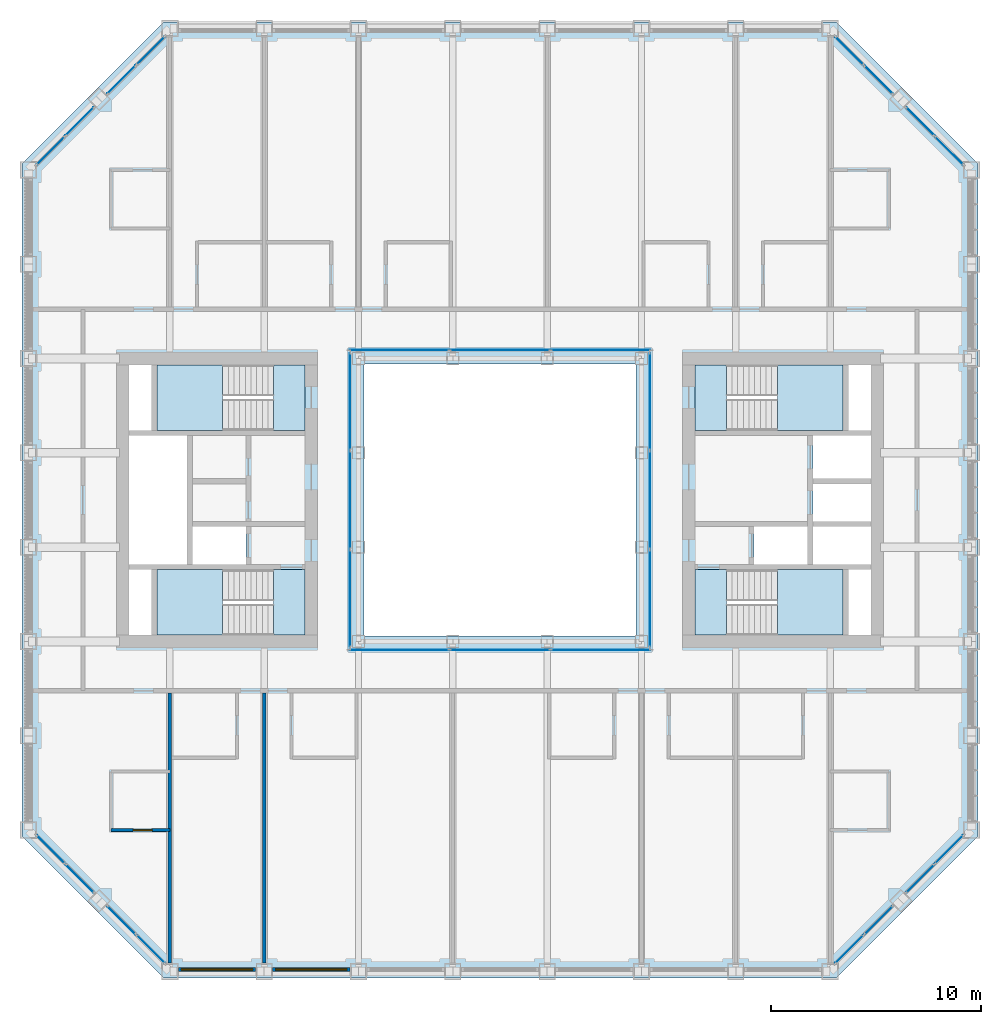
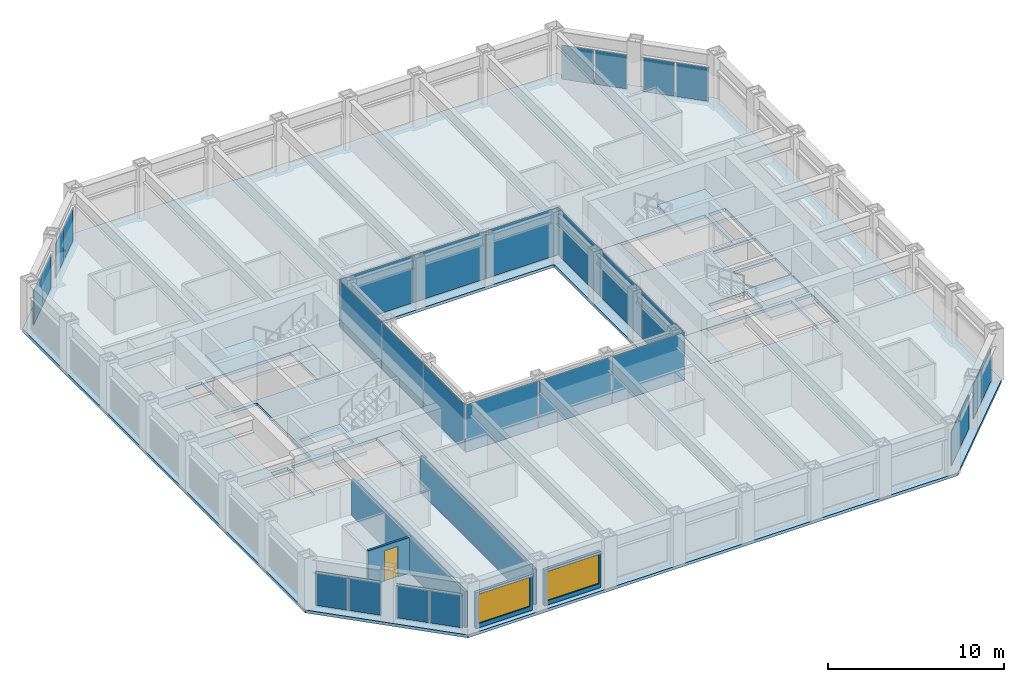
# One storey, part 9 of 17: 28 plates, 9 slabs, 5 walls, 2 windows, 1 door, 3 openings, 16 elements without a shape of their own.
"""IFC4 building model written with IfcOpenShell, lengths in metres."""

from ifc_helpers import new_model, si_unit, direction, frame, frame_2d, origin, origin_2d, place, context, subcontext, project, spatial, polyline, rectangle, outline, extrude, material, layer, layer_set, type_object, element, fill, aggregate, save


model = new_model("IFC4")

# Units and contexts
model_context = context("Model", 3, precision=1e-05, world=origin(), true_north=direction((0.0, 1.0)))
body_context = subcontext(model_context, "Body", "Model", "MODEL_VIEW")
ifc_project = project(units=[si_unit("LENGTHUNIT", "METRE"), si_unit("AREAUNIT", "SQUARE_METRE"), si_unit("VOLUMEUNIT", "CUBIC_METRE"), si_unit("PLANEANGLEUNIT", "RADIAN"), si_unit("MASSUNIT", "GRAM", prefix="KILO")], contexts=[model_context])

# Site, building, storey
site_placement = place(None, origin())
site = spatial("IfcSite", under=ifc_project, at=site_placement, CompositionType="ELEMENT")
building_placement = place(site_placement, origin())
building = spatial("IfcBuilding", under=site, at=building_placement, Name="Msasa Ring Tower", CompositionType="ELEMENT")
storey_placement = place(building_placement, frame((0.0, 0.0, 132.800048828125)))
storey = spatial("IfcBuildingStorey", under=building, at=storey_placement, Name="L34", CompositionType="ELEMENT", Elevation=132.800048828125)

# Curtain wall, plates
ifc_material_1 = material(Name="Aluminium curtain wall with clear glass", Category="aluminium")
curtain_wall_type_1 = type_object("IfcCurtainWallType", Name="CW-C CHAMFER CORNER CURTAIN WALL", PredefinedType="NOTDEFINED", material=ifc_material_1)
curtain_wall_1_placement = place(storey_placement, origin())
curtain_wall_1 = element("IfcCurtainWall", 1, at=curtain_wall_1_placement, inside=storey, type_object=curtain_wall_type_1, Name="Chamfer corner curtain wall SE L34", PredefinedType="NOTDEFINED")
ifc_material_2 = material(Name="Clear laminated insulating glass unit", Category="glass")
ifc_layer_1 = layer(ifc_material_2, 0.031982421875)
ifc_layer_set_1 = layer_set([ifc_layer_1], Name="CW-C GLASS PANEL 32")
plate_type_1 = type_object("IfcPlateType", Name="CW-C GLASS PANEL 32", PredefinedType="CURTAIN_PANEL", material=ifc_layer_set_1)
plate_1_placement = place(storey_placement, frame((16.677734375, -21.430908203125, 0.06494140625), z_axis=(0.0, 0.0, 1.0), x_axis=(0.707106781187, 0.707106781187, 0.0)))
plate_1 = element("IfcPlate", 2, at=plate_1_placement, type_object=plate_type_1, Name="CW-C panel 1.1", PredefinedType="CURTAIN_PANEL", context=body_context, shape_type="SweptSolid", body=[
    extrude(rectangle(XDim=1.884033203125, YDim=0.031982421875, at=origin_2d()), origin(), (0.0, 0.0, 1.0), 2.34912109375),
])
plate_2_placement = place(storey_placement, frame((18.055908203125, -20.052734375, 0.06494140625), z_axis=(0.0, 0.0, 1.0), x_axis=(0.707106781187, 0.707106781187, 0.0)))
plate_2 = element("IfcPlate", 3, at=plate_2_placement, type_object=plate_type_1, Name="CW-C panel 2.1", PredefinedType="CURTAIN_PANEL", context=body_context, shape_type="SweptSolid", body=[
    extrude(rectangle(XDim=1.884033203125, YDim=0.031982421875, at=origin_2d()), origin(), (0.0, 0.0, 1.0), 2.34912109375),
])
aggregate(curtain_wall_1, [plate_1, plate_2])

curtain_wall_2_placement = place(storey_placement, origin())
curtain_wall_2 = element("IfcCurtainWall", 4, at=curtain_wall_2_placement, inside=storey, type_object=curtain_wall_type_1, Name="Chamfer corner curtain wall SE L34", PredefinedType="NOTDEFINED")
plate_3_placement = place(storey_placement, frame((20.052734375, -18.055908203125, 0.06494140625), z_axis=(0.0, 0.0, 1.0), x_axis=(0.707106781187, 0.707106781187, 0.0)))
plate_3 = element("IfcPlate", 5, at=plate_3_placement, type_object=plate_type_1, Name="CW-C panel 1.1", PredefinedType="CURTAIN_PANEL", context=body_context, shape_type="SweptSolid", body=[
    extrude(rectangle(XDim=1.884033203125, YDim=0.031982421875, at=origin_2d()), origin(), (0.0, 0.0, 1.0), 2.34912109375),
])
plate_4_placement = place(storey_placement, frame((21.430908203125, -16.677734375, 0.06494140625), z_axis=(0.0, 0.0, 1.0), x_axis=(0.707106781187, 0.707106781187, 0.0)))
plate_4 = element("IfcPlate", 6, at=plate_4_placement, type_object=plate_type_1, Name="CW-C panel 2.1", PredefinedType="CURTAIN_PANEL", context=body_context, shape_type="SweptSolid", body=[
    extrude(rectangle(XDim=1.884033203125, YDim=0.031982421875, at=origin_2d()), origin(), (0.0, 0.0, 1.0), 2.34912109375),
])
aggregate(curtain_wall_2, [plate_3, plate_4])

curtain_wall_3_placement = place(storey_placement, origin())
curtain_wall_3 = element("IfcCurtainWall", 7, at=curtain_wall_3_placement, inside=storey, type_object=curtain_wall_type_1, Name="Chamfer corner curtain wall NE L34", PredefinedType="NOTDEFINED")
plate_5_placement = place(storey_placement, frame((18.055908203125, 20.052734375, 0.06494140625), z_axis=(0.0, 0.0, 1.0), x_axis=(-0.707106781187, 0.707106781187, 0.0)))
plate_5 = element("IfcPlate", 8, at=plate_5_placement, type_object=plate_type_1, Name="CW-C panel 1.1", PredefinedType="CURTAIN_PANEL", context=body_context, shape_type="SweptSolid", body=[
    extrude(rectangle(XDim=1.884033203125, YDim=0.031982421875, at=origin_2d()), origin(), (0.0, 0.0, 1.0), 2.34912109375),
])
plate_6_placement = place(storey_placement, frame((16.677734375, 21.430908203125, 0.06494140625), z_axis=(0.0, 0.0, 1.0), x_axis=(-0.707106781187, 0.707106781187, 0.0)))
plate_6 = element("IfcPlate", 9, at=plate_6_placement, type_object=plate_type_1, Name="CW-C panel 2.1", PredefinedType="CURTAIN_PANEL", context=body_context, shape_type="SweptSolid", body=[
    extrude(rectangle(XDim=1.884033203125, YDim=0.031982421875, at=origin_2d()), origin(), (0.0, 0.0, 1.0), 2.34912109375),
])
aggregate(curtain_wall_3, [plate_5, plate_6])

curtain_wall_4_placement = place(storey_placement, origin())
curtain_wall_4 = element("IfcCurtainWall", 10, at=curtain_wall_4_placement, inside=storey, type_object=curtain_wall_type_1, Name="Chamfer corner curtain wall NE L34", PredefinedType="NOTDEFINED")
plate_7_placement = place(storey_placement, frame((21.430908203125, 16.677734375, 0.06494140625), z_axis=(0.0, 0.0, 1.0), x_axis=(-0.707106781187, 0.707106781187, 0.0)))
plate_7 = element("IfcPlate", 11, at=plate_7_placement, type_object=plate_type_1, Name="CW-C panel 1.1", PredefinedType="CURTAIN_PANEL", context=body_context, shape_type="SweptSolid", body=[
    extrude(rectangle(XDim=1.884033203125, YDim=0.031982421875, at=origin_2d()), origin(), (0.0, 0.0, 1.0), 2.34912109375),
])
plate_8_placement = place(storey_placement, frame((20.052734375, 18.055908203125, 0.06494140625), z_axis=(0.0, 0.0, 1.0), x_axis=(-0.707106781187, 0.707106781187, 0.0)))
plate_8 = element("IfcPlate", 12, at=plate_8_placement, type_object=plate_type_1, Name="CW-C panel 2.1", PredefinedType="CURTAIN_PANEL", context=body_context, shape_type="SweptSolid", body=[
    extrude(rectangle(XDim=1.884033203125, YDim=0.031982421875, at=origin_2d()), origin(), (0.0, 0.0, 1.0), 2.34912109375),
])
aggregate(curtain_wall_4, [plate_7, plate_8])

curtain_wall_5_placement = place(storey_placement, origin())
curtain_wall_5 = element("IfcCurtainWall", 13, at=curtain_wall_5_placement, inside=storey, type_object=curtain_wall_type_1, Name="Chamfer corner curtain wall NW L34", PredefinedType="NOTDEFINED")
plate_9_placement = place(storey_placement, frame((-20.052734375, 18.055908203125, 0.06494140625), z_axis=(0.0, 0.0, 1.0), x_axis=(-0.707106781187, -0.707106781187, 0.0)))
plate_9 = element("IfcPlate", 14, at=plate_9_placement, type_object=plate_type_1, Name="CW-C panel 1.1", PredefinedType="CURTAIN_PANEL", context=body_context, shape_type="SweptSolid", body=[
    extrude(rectangle(XDim=1.884033203125, YDim=0.031982421875, at=origin_2d()), origin(), (0.0, 0.0, 1.0), 2.34912109375),
])
plate_10_placement = place(storey_placement, frame((-21.430908203125, 16.677734375, 0.06494140625), z_axis=(0.0, 0.0, 1.0), x_axis=(-0.707106781187, -0.707106781187, 0.0)))
plate_10 = element("IfcPlate", 15, at=plate_10_placement, type_object=plate_type_1, Name="CW-C panel 2.1", PredefinedType="CURTAIN_PANEL", context=body_context, shape_type="SweptSolid", body=[
    extrude(rectangle(XDim=1.884033203125, YDim=0.031982421875, at=origin_2d()), origin(), (0.0, 0.0, 1.0), 2.34912109375),
])
aggregate(curtain_wall_5, [plate_9, plate_10])

curtain_wall_6_placement = place(storey_placement, origin())
curtain_wall_6 = element("IfcCurtainWall", 16, at=curtain_wall_6_placement, inside=storey, type_object=curtain_wall_type_1, Name="Chamfer corner curtain wall NW L34", PredefinedType="NOTDEFINED")
plate_11_placement = place(storey_placement, frame((-16.677734375, 21.430908203125, 0.06494140625), z_axis=(0.0, 0.0, 1.0), x_axis=(-0.707106781187, -0.707106781187, 0.0)))
plate_11 = element("IfcPlate", 17, at=plate_11_placement, type_object=plate_type_1, Name="CW-C panel 1.1", PredefinedType="CURTAIN_PANEL", context=body_context, shape_type="SweptSolid", body=[
    extrude(rectangle(XDim=1.884033203125, YDim=0.031982421875, at=origin_2d()), origin(), (0.0, 0.0, 1.0), 2.34912109375),
])
plate_12_placement = place(storey_placement, frame((-18.055908203125, 20.052734375, 0.06494140625), z_axis=(0.0, 0.0, 1.0), x_axis=(-0.707106781187, -0.707106781187, 0.0)))
plate_12 = element("IfcPlate", 18, at=plate_12_placement, type_object=plate_type_1, Name="CW-C panel 2.1", PredefinedType="CURTAIN_PANEL", context=body_context, shape_type="SweptSolid", body=[
    extrude(rectangle(XDim=1.884033203125, YDim=0.031982421875, at=origin_2d()), origin(), (0.0, 0.0, 1.0), 2.34912109375),
])
aggregate(curtain_wall_6, [plate_11, plate_12])

curtain_wall_7_placement = place(storey_placement, origin())
curtain_wall_7 = element("IfcCurtainWall", 19, at=curtain_wall_7_placement, inside=storey, type_object=curtain_wall_type_1, Name="Chamfer corner curtain wall SW L34", PredefinedType="NOTDEFINED")
plate_13_placement = place(storey_placement, frame((-21.430908203125, -16.677734375, 0.06494140625), z_axis=(0.0, 0.0, 1.0), x_axis=(0.707106781187, -0.707106781187, 0.0)))
plate_13 = element("IfcPlate", 20, at=plate_13_placement, type_object=plate_type_1, Name="CW-C panel 1.1", PredefinedType="CURTAIN_PANEL", context=body_context, shape_type="SweptSolid", body=[
    extrude(rectangle(XDim=1.884033203125, YDim=0.031982421875, at=origin_2d()), origin(), (0.0, 0.0, 1.0), 2.34912109375),
])
plate_14_placement = place(storey_placement, frame((-20.052734375, -18.055908203125, 0.06494140625), z_axis=(0.0, 0.0, 1.0), x_axis=(0.707106781187, -0.707106781187, 0.0)))
plate_14 = element("IfcPlate", 21, at=plate_14_placement, type_object=plate_type_1, Name="CW-C panel 2.1", PredefinedType="CURTAIN_PANEL", context=body_context, shape_type="SweptSolid", body=[
    extrude(rectangle(XDim=1.884033203125, YDim=0.031982421875, at=origin_2d()), origin(), (0.0, 0.0, 1.0), 2.34912109375),
])
aggregate(curtain_wall_7, [plate_13, plate_14])

curtain_wall_8_placement = place(storey_placement, origin())
curtain_wall_8 = element("IfcCurtainWall", 22, at=curtain_wall_8_placement, inside=storey, type_object=curtain_wall_type_1, Name="Chamfer corner curtain wall SW L34", PredefinedType="NOTDEFINED")
plate_15_placement = place(storey_placement, frame((-18.055908203125, -20.052734375, 0.06494140625), z_axis=(0.0, 0.0, 1.0), x_axis=(0.707106781187, -0.707106781187, 0.0)))
plate_15 = element("IfcPlate", 23, at=plate_15_placement, type_object=plate_type_1, Name="CW-C panel 1.1", PredefinedType="CURTAIN_PANEL", context=body_context, shape_type="SweptSolid", body=[
    extrude(rectangle(XDim=1.884033203125, YDim=0.031982421875, at=origin_2d()), origin(), (0.0, 0.0, 1.0), 2.34912109375),
])
plate_16_placement = place(storey_placement, frame((-16.677734375, -21.430908203125, 0.06494140625), z_axis=(0.0, 0.0, 1.0), x_axis=(0.707106781187, -0.707106781187, 0.0)))
plate_16 = element("IfcPlate", 24, at=plate_16_placement, type_object=plate_type_1, Name="CW-C panel 2.1", PredefinedType="CURTAIN_PANEL", context=body_context, shape_type="SweptSolid", body=[
    extrude(rectangle(XDim=1.884033203125, YDim=0.031982421875, at=origin_2d()), origin(), (0.0, 0.0, 1.0), 2.34912109375),
])
aggregate(curtain_wall_8, [plate_15, plate_16])

ifc_material_3 = material(Name="Aluminium curtain wall with clear glass", Category="aluminium")
curtain_wall_type_2 = type_object("IfcCurtainWallType", Name="CW-W LIGHT WELL CURTAIN WALL", PredefinedType="NOTDEFINED", material=ifc_material_3)
curtain_wall_9_placement = place(storey_placement, origin())
curtain_wall_9 = element("IfcCurtainWall", 25, at=curtain_wall_9_placement, inside=storey, type_object=curtain_wall_type_2, Name="Light well curtain wall N L34", PredefinedType="NOTDEFINED")
ifc_material_4 = material(Name="Clear laminated insulating glass unit", Category="glass")
ifc_layer_2 = layer(ifc_material_4, 0.028076171875)
ifc_layer_set_2 = layer_set([ifc_layer_2], Name="CW-W GLASS PANEL 28")
plate_type_2 = type_object("IfcPlateType", Name="CW-W GLASS PANEL 28", PredefinedType="CURTAIN_PANEL", material=ifc_layer_set_2)
plate_17_placement = place(storey_placement, frame((-4.804931640625, 7.14990234375, 0.06005859375), z_axis=(0.0, 0.0, 1.0), x_axis=(1.0, 0.0, 0.0)))
plate_17 = element("IfcPlate", 26, at=plate_17_placement, type_object=plate_type_2, Name="CW-W panel 1.1", PredefinedType="CURTAIN_PANEL", context=body_context, shape_type="SweptSolid", body=[
    extrude(rectangle(XDim=4.72998046875, YDim=0.028076171875, at=origin_2d()), origin(), (0.0, 0.0, 1.0), 3.280029296875),
])
plate_18_placement = place(storey_placement, frame((0.0, 7.14990234375, 0.06005859375), z_axis=(0.0, 0.0, 1.0), x_axis=(1.0, 0.0, 0.0)))
plate_18 = element("IfcPlate", 27, at=plate_18_placement, type_object=plate_type_2, Name="CW-W panel 2.1", PredefinedType="CURTAIN_PANEL", context=body_context, shape_type="SweptSolid", body=[
    extrude(rectangle(XDim=4.760009765625, YDim=0.028076171875, at=origin_2d()), origin(), (0.0, 0.0, 1.0), 3.280029296875),
])
plate_19_placement = place(storey_placement, frame((4.804931640625, 7.14990234375, 0.06005859375), z_axis=(0.0, 0.0, 1.0), x_axis=(1.0, 0.0, 0.0)))
plate_19 = element("IfcPlate", 28, at=plate_19_placement, type_object=plate_type_2, Name="CW-W panel 3.1", PredefinedType="CURTAIN_PANEL", context=body_context, shape_type="SweptSolid", body=[
    extrude(rectangle(XDim=4.72998046875, YDim=0.028076171875, at=origin_2d()), origin(), (0.0, 0.0, 1.0), 3.280029296875),
])
aggregate(curtain_wall_9, [plate_17, plate_18, plate_19])

curtain_wall_10_placement = place(storey_placement, origin())
curtain_wall_10 = element("IfcCurtainWall", 29, at=curtain_wall_10_placement, inside=storey, type_object=curtain_wall_type_2, Name="Light well curtain wall S L34", PredefinedType="NOTDEFINED")
plate_20_placement = place(storey_placement, frame((-4.804931640625, -7.14990234375, 0.06005859375), z_axis=(0.0, 0.0, 1.0), x_axis=(1.0, 0.0, 0.0)))
plate_20 = element("IfcPlate", 30, at=plate_20_placement, type_object=plate_type_2, Name="CW-W panel 1.1", PredefinedType="CURTAIN_PANEL", context=body_context, shape_type="SweptSolid", body=[
    extrude(rectangle(XDim=4.72998046875, YDim=0.028076171875, at=origin_2d()), origin(), (0.0, 0.0, 1.0), 3.280029296875),
])
plate_21_placement = place(storey_placement, frame((0.0, -7.14990234375, 0.06005859375), z_axis=(0.0, 0.0, 1.0), x_axis=(1.0, 0.0, 0.0)))
plate_21 = element("IfcPlate", 31, at=plate_21_placement, type_object=plate_type_2, Name="CW-W panel 2.1", PredefinedType="CURTAIN_PANEL", context=body_context, shape_type="SweptSolid", body=[
    extrude(rectangle(XDim=4.760009765625, YDim=0.028076171875, at=origin_2d()), origin(), (0.0, 0.0, 1.0), 3.280029296875),
])
plate_22_placement = place(storey_placement, frame((4.804931640625, -7.14990234375, 0.06005859375), z_axis=(0.0, 0.0, 1.0), x_axis=(1.0, 0.0, 0.0)))
plate_22 = element("IfcPlate", 32, at=plate_22_placement, type_object=plate_type_2, Name="CW-W panel 3.1", PredefinedType="CURTAIN_PANEL", context=body_context, shape_type="SweptSolid", body=[
    extrude(rectangle(XDim=4.72998046875, YDim=0.028076171875, at=origin_2d()), origin(), (0.0, 0.0, 1.0), 3.280029296875),
])
aggregate(curtain_wall_10, [plate_20, plate_21, plate_22])

curtain_wall_11_placement = place(storey_placement, origin())
curtain_wall_11 = element("IfcCurtainWall", 33, at=curtain_wall_11_placement, inside=storey, type_object=curtain_wall_type_2, Name="Light well curtain wall E L34", PredefinedType="NOTDEFINED")
plate_23_placement = place(storey_placement, frame((7.14990234375, -4.6982421875, 0.06005859375), z_axis=(0.0, 0.0, 1.0), x_axis=(0.0, 1.0, 0.0)))
plate_23 = element("IfcPlate", 34, at=plate_23_placement, type_object=plate_type_2, Name="CW-W panel 1.1", PredefinedType="CURTAIN_PANEL", context=body_context, shape_type="SweptSolid", body=[
    extrude(rectangle(XDim=4.623291015625, YDim=0.028076171875, at=origin_2d()), origin(), (0.0, 0.0, 1.0), 3.280029296875),
])
plate_24_placement = place(storey_placement, frame((7.14990234375, 0.0, 0.06005859375), z_axis=(0.0, 0.0, 1.0), x_axis=(0.0, 1.0, 0.0)))
plate_24 = element("IfcPlate", 35, at=plate_24_placement, type_object=plate_type_2, Name="CW-W panel 2.1", PredefinedType="CURTAIN_PANEL", context=body_context, shape_type="SweptSolid", body=[
    extrude(rectangle(XDim=4.6533203125, YDim=0.028076171875, at=origin_2d()), origin(), (0.0, 0.0, 1.0), 3.280029296875),
])
plate_25_placement = place(storey_placement, frame((7.14990234375, 4.6982421875, 0.06005859375), z_axis=(0.0, 0.0, 1.0), x_axis=(0.0, 1.0, 0.0)))
plate_25 = element("IfcPlate", 36, at=plate_25_placement, type_object=plate_type_2, Name="CW-W panel 3.1", PredefinedType="CURTAIN_PANEL", context=body_context, shape_type="SweptSolid", body=[
    extrude(rectangle(XDim=4.623291015625, YDim=0.028076171875, at=origin_2d()), origin(), (0.0, 0.0, 1.0), 3.280029296875),
])
aggregate(curtain_wall_11, [plate_23, plate_24, plate_25])

curtain_wall_12_placement = place(storey_placement, origin())
curtain_wall_12 = element("IfcCurtainWall", 37, at=curtain_wall_12_placement, inside=storey, type_object=curtain_wall_type_2, Name="Light well curtain wall W L34", PredefinedType="NOTDEFINED")
plate_26_placement = place(storey_placement, frame((-7.14990234375, -4.6982421875, 0.06005859375), z_axis=(0.0, 0.0, 1.0), x_axis=(0.0, 1.0, 0.0)))
plate_26 = element("IfcPlate", 38, at=plate_26_placement, type_object=plate_type_2, Name="CW-W panel 1.1", PredefinedType="CURTAIN_PANEL", context=body_context, shape_type="SweptSolid", body=[
    extrude(rectangle(XDim=4.623291015625, YDim=0.028076171875, at=origin_2d()), origin(), (0.0, 0.0, 1.0), 3.280029296875),
])
plate_27_placement = place(storey_placement, frame((-7.14990234375, 0.0, 0.06005859375), z_axis=(0.0, 0.0, 1.0), x_axis=(0.0, 1.0, 0.0)))
plate_27 = element("IfcPlate", 39, at=plate_27_placement, type_object=plate_type_2, Name="CW-W panel 2.1", PredefinedType="CURTAIN_PANEL", context=body_context, shape_type="SweptSolid", body=[
    extrude(rectangle(XDim=4.6533203125, YDim=0.028076171875, at=origin_2d()), origin(), (0.0, 0.0, 1.0), 3.280029296875),
])
plate_28_placement = place(storey_placement, frame((-7.14990234375, 4.6982421875, 0.06005859375), z_axis=(0.0, 0.0, 1.0), x_axis=(0.0, 1.0, 0.0)))
plate_28 = element("IfcPlate", 40, at=plate_28_placement, type_object=plate_type_2, Name="CW-W panel 3.1", PredefinedType="CURTAIN_PANEL", context=body_context, shape_type="SweptSolid", body=[
    extrude(rectangle(XDim=4.623291015625, YDim=0.028076171875, at=origin_2d()), origin(), (0.0, 0.0, 1.0), 3.280029296875),
])
aggregate(curtain_wall_12, [plate_26, plate_27, plate_28])

# Stair, slabs
ifc_material_5 = material(Name="Concrete C40/50", Category="concrete")
stair_type = type_object("IfcStairType", Name="STC CORE STAIR 20 RISERS 180", PredefinedType="HALF_TURN_STAIR", material=ifc_material_5)
stair_1_placement = place(storey_placement, origin())
stair_1 = element("IfcStair", 41, at=stair_1_placement, inside=storey, type_object=stair_type, Name="Core stair SEA L34", PredefinedType="HALF_TURN_STAIR")
ifc_material_6 = material(Name="Concrete C40/50", Category="concrete")
ifc_layer_3 = layer(ifc_material_6, 0.199951171875)
ifc_layer_set_3 = layer_set([ifc_layer_3], Name="LD1 CORE STAIR LANDING 200")
slab_type_1 = type_object("IfcSlabType", Name="LD1 CORE STAIR LANDING 200", PredefinedType="LANDING", material=ifc_layer_set_3)
slab_1_placement = place(storey_placement, frame((0.0, 0.0, -0.199951171875)))
slab_1 = element("IfcSlab", 42, at=slab_1_placement, type_object=slab_type_1, Name="SEA landing 1", PredefinedType="LANDING", context=body_context, shape_type="SweptSolid", body=[
    extrude(outline(polyline([(9.300048828125, -6.449951171875), (10.800048828125, -6.449951171875), (10.800048828125, -3.324951171875), (9.300048828125, -3.324951171875), (9.300048828125, -6.449951171875)])), origin(), (0.0, 0.0, 1.0), 0.199951171875),
])
slab_2_placement = place(storey_placement, frame((0.0, 0.0, 1.599853515625)))
slab_2 = element("IfcSlab", 43, at=slab_2_placement, type_object=slab_type_1, Name="SEA landing 2", PredefinedType="LANDING", context=body_context, shape_type="SweptSolid", body=[
    extrude(outline(polyline([(13.22998046875, -6.449951171875), (16.375, -6.449951171875), (16.375, -3.324951171875), (13.22998046875, -3.324951171875), (13.22998046875, -6.449951171875)])), origin(), (0.0, 0.0, 1.0), 0.2001953125),
])
aggregate(stair_1, [slab_1, slab_2])

stair_2_placement = place(storey_placement, origin())
stair_2 = element("IfcStair", 44, at=stair_2_placement, inside=storey, type_object=stair_type, Name="Core stair SEB L34", PredefinedType="HALF_TURN_STAIR")
slab_3_placement = place(storey_placement, frame((0.0, 0.0, -0.199951171875)))
slab_3 = element("IfcSlab", 45, at=slab_3_placement, type_object=slab_type_1, Name="SEB landing 1", PredefinedType="LANDING", context=body_context, shape_type="SweptSolid", body=[
    extrude(outline(polyline([(9.300048828125, 3.324951171875), (10.800048828125, 3.324951171875), (10.800048828125, 6.449951171875), (9.300048828125, 6.449951171875), (9.300048828125, 3.324951171875)])), origin(), (0.0, 0.0, 1.0), 0.199951171875),
])
slab_4_placement = place(storey_placement, frame((0.0, 0.0, 1.599853515625)))
slab_4 = element("IfcSlab", 46, at=slab_4_placement, type_object=slab_type_1, Name="SEB landing 2", PredefinedType="LANDING", context=body_context, shape_type="SweptSolid", body=[
    extrude(outline(polyline([(13.22998046875, 3.324951171875), (16.375, 3.324951171875), (16.375, 6.449951171875), (13.22998046875, 6.449951171875), (13.22998046875, 3.324951171875)])), origin(), (0.0, 0.0, 1.0), 0.2001953125),
])
aggregate(stair_2, [slab_3, slab_4])

stair_3_placement = place(storey_placement, origin())
stair_3 = element("IfcStair", 47, at=stair_3_placement, inside=storey, type_object=stair_type, Name="Core stair SWA L34", PredefinedType="HALF_TURN_STAIR")
slab_5_placement = place(storey_placement, frame((0.0, 0.0, -0.199951171875)))
slab_5 = element("IfcSlab", 48, at=slab_5_placement, type_object=slab_type_1, Name="SWA landing 1", PredefinedType="LANDING", context=body_context, shape_type="SweptSolid", body=[
    extrude(outline(polyline([(-10.800048828125, -6.449951171875), (-9.300048828125, -6.449951171875), (-9.300048828125, -3.324951171875), (-10.800048828125, -3.324951171875), (-10.800048828125, -6.449951171875)])), origin(), (0.0, 0.0, 1.0), 0.199951171875),
])
slab_6_placement = place(storey_placement, frame((0.0, 0.0, 1.599853515625)))
slab_6 = element("IfcSlab", 49, at=slab_6_placement, type_object=slab_type_1, Name="SWA landing 2", PredefinedType="LANDING", context=body_context, shape_type="SweptSolid", body=[
    extrude(outline(polyline([(-16.375, -6.449951171875), (-13.22998046875, -6.449951171875), (-13.22998046875, -3.324951171875), (-16.375, -3.324951171875), (-16.375, -6.449951171875)])), origin(), (0.0, 0.0, 1.0), 0.2001953125),
])
aggregate(stair_3, [slab_5, slab_6])

stair_4_placement = place(storey_placement, origin())
stair_4 = element("IfcStair", 50, at=stair_4_placement, inside=storey, type_object=stair_type, Name="Core stair SWB L34", PredefinedType="HALF_TURN_STAIR")
slab_7_placement = place(storey_placement, frame((0.0, 0.0, -0.199951171875)))
slab_7 = element("IfcSlab", 51, at=slab_7_placement, type_object=slab_type_1, Name="SWB landing 1", PredefinedType="LANDING", context=body_context, shape_type="SweptSolid", body=[
    extrude(outline(polyline([(-10.800048828125, 3.324951171875), (-9.300048828125, 3.324951171875), (-9.300048828125, 6.449951171875), (-10.800048828125, 6.449951171875), (-10.800048828125, 3.324951171875)])), origin(), (0.0, 0.0, 1.0), 0.199951171875),
])
slab_8_placement = place(storey_placement, frame((0.0, 0.0, 1.599853515625)))
slab_8 = element("IfcSlab", 52, at=slab_8_placement, type_object=slab_type_1, Name="SWB landing 2", PredefinedType="LANDING", context=body_context, shape_type="SweptSolid", body=[
    extrude(outline(polyline([(-16.375, 3.324951171875), (-13.22998046875, 3.324951171875), (-13.22998046875, 6.449951171875), (-16.375, 6.449951171875), (-16.375, 3.324951171875)])), origin(), (0.0, 0.0, 1.0), 0.2001953125),
])
aggregate(stair_4, [slab_7, slab_8])

# Slab
ifc_material_7 = material(Name="Concrete C40/50", Category="concrete")
ifc_layer_4 = layer(ifc_material_7, 0.199951171875)
ifc_layer_set_4 = layer_set([ifc_layer_4], Name="S6 GUEST FLOOR 200")
slab_type_2 = type_object("IfcSlabType", Name="S6 GUEST FLOOR 200", PredefinedType="FLOOR", material=ifc_layer_set_4)
slab_9_placement = place(storey_placement, frame((0.0, 0.0, -0.199951171875)))
element("IfcSlab", 53, at=slab_9_placement, inside=storey, type_object=slab_type_2, Name="Floor slab L34", PredefinedType="FLOOR", context=body_context, shape_type="SweptSolid", body=[
    extrude(outline(polyline([(-16.050048828125, -22.800048828125), (16.050048828125, -22.800048828125), (22.800048828125, -16.050048828125), (22.800048828125, 16.050048828125), (16.050048828125, 22.800048828125), (-16.050048828125, 22.800048828125), (-22.800048828125, 16.050048828125), (-22.800048828125, -16.050048828125), (-16.050048828125, -22.800048828125)]), holes=[polyline([(-6.5, -6.5), (6.5, -6.5), (6.5, 6.5), (-6.5, 6.5), (-6.5, -6.5)]), polyline([(9.300048828125, -6.449951171875), (16.375, -6.449951171875), (16.375, -3.324951171875), (9.300048828125, -3.324951171875), (9.300048828125, -6.449951171875)]), polyline([(9.300048828125, 3.324951171875), (16.375, 3.324951171875), (16.375, 6.449951171875), (9.300048828125, 6.449951171875), (9.300048828125, 3.324951171875)]), polyline([(12.125, -3.074951171875), (14.675048828125, -3.074951171875), (14.675048828125, -1.27490234375), (12.125, -1.27490234375), (12.125, -3.074951171875)]), polyline([(16.625, -6.449951171875), (17.699951171875, -6.449951171875), (17.699951171875, -3.324951171875), (16.625, -3.324951171875), (16.625, -6.449951171875)]), polyline([(16.625, 3.324951171875), (17.699951171875, 3.324951171875), (17.699951171875, 6.449951171875), (16.625, 6.449951171875), (16.625, 3.324951171875)]), polyline([(14.925048828125, -3.074951171875), (17.699951171875, -3.074951171875), (17.699951171875, -1.27490234375), (14.925048828125, -1.27490234375), (14.925048828125, -3.074951171875)]), polyline([(14.925048828125, -1.02490234375), (17.699951171875, -1.02490234375), (17.699951171875, 0.77490234375), (14.925048828125, 0.77490234375), (14.925048828125, -1.02490234375)]), polyline([(14.925048828125, 1.02490234375), (17.699951171875, 1.02490234375), (17.699951171875, 3.074951171875), (14.925048828125, 3.074951171875), (14.925048828125, 1.02490234375)]), polyline([(-16.375, -6.449951171875), (-9.300048828125, -6.449951171875), (-9.300048828125, -3.324951171875), (-16.375, -3.324951171875), (-16.375, -6.449951171875)]), polyline([(-16.375, 3.324951171875), (-9.300048828125, 3.324951171875), (-9.300048828125, 6.449951171875), (-16.375, 6.449951171875), (-16.375, 3.324951171875)]), polyline([(-14.675048828125, -3.074951171875), (-12.125, -3.074951171875), (-12.125, -1.27490234375), (-14.675048828125, -1.27490234375), (-14.675048828125, -3.074951171875)]), polyline([(-17.699951171875, -6.449951171875), (-16.625, -6.449951171875), (-16.625, -3.324951171875), (-17.699951171875, -3.324951171875), (-17.699951171875, -6.449951171875)]), polyline([(-17.699951171875, 3.324951171875), (-16.625, 3.324951171875), (-16.625, 6.449951171875), (-17.699951171875, 6.449951171875), (-17.699951171875, 3.324951171875)]), polyline([(-17.699951171875, -3.074951171875), (-14.925048828125, -3.074951171875), (-14.925048828125, 3.074951171875), (-17.699951171875, 3.074951171875), (-17.699951171875, -3.074951171875)])]), origin(), (0.0, 0.0, 1.0), 0.199951171875),
])

# Wall, opening, window
ifc_material_8 = material(Name="Terracotta rainscreen on blockwork", Category="masonry")
ifc_layer_5 = layer(ifc_material_8, 0.199951171875)
ifc_layer_set_5 = layer_set([ifc_layer_5], Name="FW1 TERRACOTTA-LINED INFILL BAY WALL 200")
wall_type_1 = type_object("IfcWallType", Name="FW1 TERRACOTTA-LINED INFILL BAY WALL 200", PredefinedType="SOLIDWALL", material=ifc_layer_set_5)
wall_1_placement = place(storey_placement, frame((-15.344970703125, -22.39990234375, 0.0), z_axis=(0.0, 0.0, 1.0), x_axis=(1.0, 0.0, 0.0)))
wall_1 = element("IfcWall", 54, at=wall_1_placement, inside=storey, type_object=wall_type_1, Name="Infill bay wall S L34 00", PredefinedType="SOLIDWALL", context=body_context, shape_type="SweptSolid", body=[
    extrude(rectangle(XDim=3.68994140625, YDim=0.199951171875, at=frame_2d((1.844970703125, 0.0))), origin(), (0.0, 0.0, 1.0), 2.47900390625),
])
opening_1_placement = place(wall_1_placement, frame((0.14501953125, 0.0, 0.300048828125)))
opening_1 = element("IfcOpeningElement", 55, at=opening_1_placement, cuts=wall_1, Name="Opening WN2", PredefinedType="OPENING", context=body_context, shape_type="SweptSolid", body=[
    extrude(rectangle(XDim=3.39990234375, YDim=2.029052734375, at=frame_2d((1.699951171875, 1.0146484375))), frame((0.0, 0.10986328125, 0.0), z_axis=(0.0, -1.0, 0.0), x_axis=(1.0, 0.0, 0.0)), (0.0, 0.0, 1.0), 0.219970703125),
])
ifc_material_9 = material(Name="Aluminium frame with clear glass", Category="aluminium")
window_type = type_object("IfcWindowType", Name="WN2 GUEST ROOM WINDOW 3400x2029", PartitioningType="SINGLE_PANEL", PredefinedType="WINDOW", material=ifc_material_9)
window_1_placement = place(opening_1_placement, origin())
window_1 = element("IfcWindow", 56, at=window_1_placement, inside=storey, type_object=window_type, Name="Window S L34 00", OverallHeight=2.029052734375, OverallWidth=3.39990234375, PartitioningType="SINGLE_PANEL", PredefinedType="WINDOW", context=body_context, shape_type="SweptSolid", body=[
    extrude(rectangle(XDim=3.39990234375, YDim=2.029052734375, at=frame_2d((1.699951171875, 1.0146484375))), frame((0.0, 0.030029296875, 0.0), z_axis=(0.0, -1.0, 0.0), x_axis=(1.0, 0.0, 0.0)), (0.0, 0.0, 1.0), 0.06005859375),
])
fill(opening_1, window_1)

wall_2_placement = place(storey_placement, frame((-10.844970703125, -22.39990234375, 0.0), z_axis=(0.0, 0.0, 1.0), x_axis=(1.0, 0.0, 0.0)))
wall_2 = element("IfcWall", 57, at=wall_2_placement, inside=storey, type_object=wall_type_1, Name="Infill bay wall S L34 01", PredefinedType="SOLIDWALL", context=body_context, shape_type="SweptSolid", body=[
    extrude(rectangle(XDim=3.68994140625, YDim=0.199951171875, at=frame_2d((1.844970703125, 0.0))), origin(), (0.0, 0.0, 1.0), 2.47900390625),
])
opening_2_placement = place(wall_2_placement, frame((0.14501953125, 0.0, 0.300048828125)))
opening_2 = element("IfcOpeningElement", 58, at=opening_2_placement, cuts=wall_2, Name="Opening WN2", PredefinedType="OPENING", context=body_context, shape_type="SweptSolid", body=[
    extrude(rectangle(XDim=3.39990234375, YDim=2.029052734375, at=frame_2d((1.699951171875, 1.0146484375))), frame((0.0, 0.10986328125, 0.0), z_axis=(0.0, -1.0, 0.0), x_axis=(1.0, 0.0, 0.0)), (0.0, 0.0, 1.0), 0.219970703125),
])
window_2_placement = place(opening_2_placement, origin())
window_2 = element("IfcWindow", 59, at=window_2_placement, inside=storey, type_object=window_type, Name="Window S L34 01", OverallHeight=2.029052734375, OverallWidth=3.39990234375, PartitioningType="SINGLE_PANEL", PredefinedType="WINDOW", context=body_context, shape_type="SweptSolid", body=[
    extrude(rectangle(XDim=3.39990234375, YDim=2.029052734375, at=frame_2d((1.699951171875, 1.0146484375))), frame((0.0, 0.030029296875, 0.0), z_axis=(0.0, -1.0, 0.0), x_axis=(1.0, 0.0, 0.0)), (0.0, 0.0, 1.0), 0.06005859375),
])
fill(opening_2, window_2)

# Wall, opening, door
ifc_material_10 = material(Name="Moisture-resistant board on steel studs with a concealed cistern and pipe void, tiled", Category="steel")
ifc_layer_6 = layer(ifc_material_10, 0.14990234375)
ifc_layer_set_6 = layer_set([ifc_layer_6], Name="PT4 BATHROOM WET WALL 150")
wall_type_2 = type_object("IfcWallType", Name="PT4 BATHROOM WET WALL 150", PredefinedType="PARTITIONING", material=ifc_layer_set_6)
wall_3_placement = place(storey_placement, frame((-18.550048828125, -15.75, 0.0), z_axis=(0.0, 0.0, 1.0), x_axis=(1.0, 0.0, 0.0)))
wall_3 = element("IfcWall", 60, at=wall_3_placement, inside=storey, type_object=wall_type_2, Name="Partition L34-CSSWBZ", PredefinedType="PARTITIONING", context=body_context, shape_type="SweptSolid", body=[
    extrude(rectangle(XDim=2.800048828125, YDim=0.14990234375, at=frame_2d((1.39990234375, 0.0))), origin(), (0.0, 0.0, 1.0), 2.473388671875),
])
opening_3_placement = place(wall_3_placement, frame((1.050048828125, 0.0, 0.0)))
opening_3 = element("IfcOpeningElement", 61, at=opening_3_placement, cuts=wall_3, Name="Opening HB-039", PredefinedType="OPENING", context=body_context, shape_type="SweptSolid", body=[
    extrude(rectangle(XDim=0.89990234375, YDim=2.10009765625, at=frame_2d((0.449951171875, 1.050048828125))), frame((0.0, 0.0849609375, 0.0), z_axis=(0.0, -1.0, 0.0), x_axis=(1.0, 0.0, 0.0)), (0.0, 0.0, 1.0), 0.169921875),
])
ifc_material_11 = material(Name="Timber door leaf in a steel frame", Category="steel")
door_type = type_object("IfcDoorType", Name="D3 BATHROOM DOOR 900x2100", OperationType="SINGLE_SWING_LEFT", PredefinedType="DOOR", material=ifc_material_11)
door_placement = place(opening_3_placement, origin())
door = element("IfcDoor", 62, at=door_placement, inside=storey, type_object=door_type, Name="Door L34-CSSWB1", OperationType="SINGLE_SWING_RIGHT", OverallHeight=2.10009765625, OverallWidth=0.89990234375, PredefinedType="DOOR", context=body_context, shape_type="SweptSolid", body=[
    extrude(rectangle(XDim=0.89990234375, YDim=2.10009765625, at=frame_2d((0.449951171875, 1.050048828125))), frame((0.0, 0.02490234375, 0.0), z_axis=(0.0, -1.0, 0.0), x_axis=(1.0, 0.0, 0.0)), (0.0, 0.0, 1.0), 0.050048828125),
])
fill(opening_3, door)

# Walls
ifc_material_12 = material(Name="Twin steel studs, two layers of acoustic board each face, mineral wool", Category="steel")
ifc_layer_7 = layer(ifc_material_12, 0.175048828125)
ifc_layer_set_7 = layer_set([ifc_layer_7], Name="PT5 GUEST ROOM SEPARATING WALL 175")
wall_type_3 = type_object("IfcWallType", Name="PT5 GUEST ROOM SEPARATING WALL 175", PredefinedType="PARTITIONING", material=ifc_layer_set_7)
for number, where, z_axis, x_axis, name in (
    (63, (-15.75, -22.10009765625, 0.0), (0.0, 0.0, 1.0), (0.0, 1.0, 0.0), "Partition L34-PWS-15.75"),
    (64, (-11.25, -22.10009765625, 0.0), (0.0, 0.0, 1.0), (0.0, 1.0, 0.0), "Partition L34-PWS-11.25"),
):
    element("IfcWall", number, at=place(storey_placement, frame(where, z_axis=z_axis, x_axis=x_axis)), inside=storey, type_object=wall_type_3, Name=name, PredefinedType="PARTITIONING", context=body_context, shape_type="SweptSolid", body=[
        extrude(rectangle(XDim=12.900146484375, YDim=0.175048828125, at=frame_2d((6.4501953125, 0.0))), origin(), (0.0, 0.0, 1.0), 2.473388671875),
    ])

save(model, "model.ifc")
